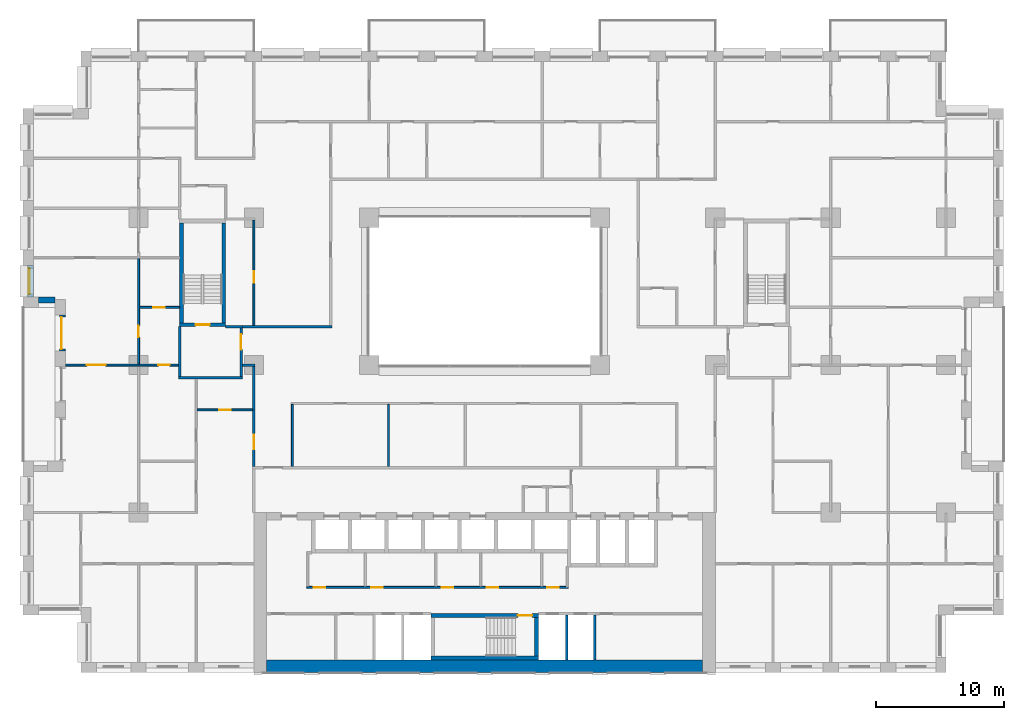
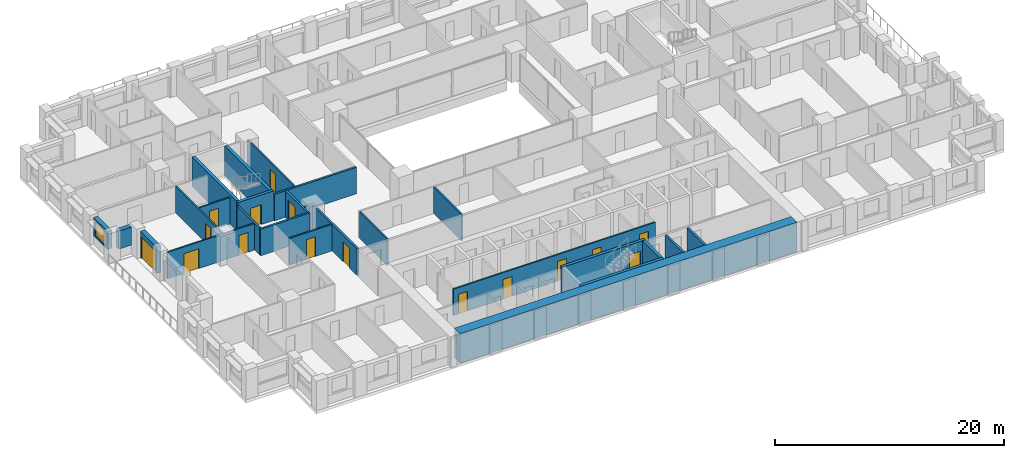
# One storey, part 10 of 19: 27 walls, 16 doors, 1 window, 17 openings.
"""IFC4 building model written with IfcOpenShell, lengths in metres."""

from ifc_helpers import new_model, si_unit, direction, frame, frame_2d, origin, place, context, subcontext, project, spatial, rectangle, extrude, material, layer, layer_set, type_object, element, fill, save


model = new_model("IFC4")

# Units and contexts
model_context = context("Model", 3, precision=1e-05, world=origin(), true_north=direction((0.0, 1.0)))
body_context = subcontext(model_context, "Body", "Model", "MODEL_VIEW")
ifc_project = project(units=[si_unit("LENGTHUNIT", "METRE"), si_unit("AREAUNIT", "SQUARE_METRE"), si_unit("VOLUMEUNIT", "CUBIC_METRE"), si_unit("PLANEANGLEUNIT", "RADIAN"), si_unit("MASSUNIT", "GRAM", prefix="KILO")], contexts=[model_context])

# Site, building, storey
site_placement = place(None, origin())
site = spatial("IfcSite", under=ifc_project, at=site_placement, CompositionType="ELEMENT")
building_placement = place(site_placement, origin())
building = spatial("IfcBuilding", under=site, at=building_placement, Name="Brigalow Station Residences", CompositionType="ELEMENT")
storey_placement = place(building_placement, frame((0.0, 0.0, 32.10009765625)))
storey = spatial("IfcBuildingStorey", under=building, at=storey_placement, Name="L08", CompositionType="ELEMENT", Elevation=32.10009765625)

# Wall, opening, window
ifc_material_1 = material(Name="Clay brick masonry", Category="masonry")
ifc_layer_1 = layer(ifc_material_1, 0.449951171875)
ifc_layer_set_1 = layer_set([ifc_layer_1], Name="BRICK INFILL WALL 450")
wall_type_1 = type_object("IfcWallType", Name="BRICK INFILL WALL 450", PredefinedType="SOLIDWALL", material=ifc_layer_set_1)
wall_1_placement = place(storey_placement, frame((0.574951171875, 31.77490234375, 0.89990234375), z_axis=(0.0, 0.0, 1.0), x_axis=(0.0, -1.0, 0.0)))
wall_1 = element("IfcWall", 1, at=wall_1_placement, inside=storey, type_object=wall_type_1, Name="L08/ewall/W-L08-45", PredefinedType="SOLIDWALL", context=body_context, shape_type="SweptSolid", body=[
    extrude(rectangle(XDim=2.474853515625, YDim=0.449951171875, at=frame_2d((1.2373046875, 0.0))), origin(), (0.0, 0.0, 1.0), 1.929931640625),
])
opening_1_placement = place(wall_1_placement, frame((0.237548828125, 0.0, 0.14990234375)))
opening_1 = element("IfcOpeningElement", 2, at=opening_1_placement, cuts=wall_1, Name="Opening WT-7", PredefinedType="OPENING", context=body_context, shape_type="SweptSolid", body=[
    extrude(rectangle(XDim=2.0, YDim=1.5, at=frame_2d((1.0, 0.75))), frame((0.0, 0.23486328125, 0.0), z_axis=(0.0, -1.0, 0.0), x_axis=(1.0, 0.0, 0.0)), (0.0, 0.0, 1.0), 0.469970703125),
])
ifc_material_2 = material(Name="Anodised aluminium frame with double glazing", Category="aluminium")
window_type = type_object("IfcWindowType", Name="WINDOW 2000x1500", PartitioningType="SINGLE_PANEL", PredefinedType="WINDOW", material=ifc_material_2)
window_placement = place(opening_1_placement, origin())
window = element("IfcWindow", 3, at=window_placement, inside=storey, type_object=window_type, Name="L08/window/W-L08-45", OverallHeight=1.5, OverallWidth=2.0, PartitioningType="SINGLE_PANEL", PredefinedType="WINDOW", context=body_context, shape_type="SweptSolid", body=[
    extrude(rectangle(XDim=2.0, YDim=1.5, at=frame_2d((1.0, 0.75))), frame((0.0, -0.06494140625, 0.0), z_axis=(0.0, -1.0, 0.0), x_axis=(1.0, 0.0, 0.0)), (0.0, 0.0, 1.0), 0.06005859375),
])
fill(opening_1, window)

# Wall
wall_2_placement = place(storey_placement, frame((1.199951171875, 29.074951171875, 0.89990234375), z_axis=(0.0, 0.0, 1.0), x_axis=(1.0, 0.0, 0.0)))
element("IfcWall", 4, at=wall_2_placement, inside=storey, type_object=wall_type_1, Name="L08/ewall/W-L08-46", PredefinedType="SOLIDWALL", context=body_context, shape_type="SweptSolid", body=[
    extrude(rectangle(XDim=1.300048828125, YDim=0.449951171875, at=frame_2d((0.64990234375, 0.0))), origin(), (0.0, 0.0, 1.0), 1.929931640625),
])

# Wall, opening, door
wall_3_placement = place(storey_placement, frame((3.074951171875, 27.89990234375, 0.0), z_axis=(0.0, 0.0, 1.0), x_axis=(0.0, -1.0, 0.0)))
wall_3 = element("IfcWall", 5, at=wall_3_placement, inside=storey, type_object=wall_type_1, Name="L08/ewall/W-L08-47", PredefinedType="SOLIDWALL", context=body_context, shape_type="SweptSolid", body=[
    extrude(rectangle(XDim=2.7998046875, YDim=0.449951171875, at=frame_2d((1.39990234375, 0.0))), origin(), (0.0, 0.0, 1.0), 2.829833984375),
])
opening_2_placement = place(wall_3_placement, frame((0.14990234375, 0.0, 0.0)))
opening_2 = element("IfcOpeningElement", 6, at=opening_2_placement, cuts=wall_3, Name="Opening D-B2500", PredefinedType="OPENING", context=body_context, shape_type="SweptSolid", body=[
    extrude(rectangle(XDim=2.5, YDim=2.300048828125, at=frame_2d((1.25, 1.14990234375))), frame((0.0, 0.23486328125, 0.0), z_axis=(0.0, -1.0, 0.0), x_axis=(1.0, 0.0, 0.0)), (0.0, 0.0, 1.0), 0.469970703125),
])
ifc_material_3 = material(Name="Anodised aluminium frame with double glazing", Category="aluminium")
door_type_1 = type_object("IfcDoorType", Name="BALCONY SLIDING DOOR 2500x2300", OperationType="SLIDING_TO_LEFT", PredefinedType="DOOR", material=ifc_material_3)
door_1_placement = place(opening_2_placement, origin())
door_1 = element("IfcDoor", 7, at=door_1_placement, inside=storey, type_object=door_type_1, Name="L08/balcony-door/W-L08-47", OperationType="SLIDING_TO_LEFT", OverallHeight=2.300048828125, OverallWidth=2.5, PredefinedType="DOOR", context=body_context, shape_type="SweptSolid", body=[
    extrude(rectangle(XDim=2.5, YDim=2.300048828125, at=frame_2d((1.25, 1.14990234375))), frame((0.0, -0.06982421875, 0.0), z_axis=(0.0, -1.0, 0.0), x_axis=(1.0, 0.0, 0.0)), (0.0, 0.0, 1.0), 0.050048828125),
])
fill(opening_2, door_1)

# Walls
ifc_material_4 = material(Name="Concrete C80", Category="concrete")
ifc_layer_2 = layer(ifc_material_4, 1.0)
ifc_layer_set_2 = layer_set([ifc_layer_2], Name="CORE SHEAR WALL 1000 C80")
wall_type_2 = type_object("IfcWallType", Name="CORE SHEAR WALL 1000 C80", PredefinedType="SHEAR", material=ifc_layer_set_2)
wall_4_placement = place(storey_placement, frame((19.0, 0.5, 0.0), z_axis=(0.0, 0.0, 1.0), x_axis=(1.0, 0.0, 0.0)))
element("IfcWall", 8, at=wall_4_placement, inside=storey, type_object=wall_type_2, Name="CORE WALL OUT-S L08", PredefinedType="SHEAR", context=body_context, shape_type="SweptSolid", body=[
    extrude(rectangle(XDim=34.0, YDim=1.0, at=frame_2d((17.0, 0.0))), origin(), (0.0, 0.0, 1.0), 3.14990234375),
])
ifc_material_5 = material(Name="Concrete C80", Category="concrete")
ifc_layer_3 = layer(ifc_material_5, 0.300048828125)
ifc_layer_set_3 = layer_set([ifc_layer_3], Name="CORE SHEAR WALL 300 C80")
wall_type_3 = type_object("IfcWallType", Name="CORE SHEAR WALL 300 C80", PredefinedType="SHEAR", material=ifc_layer_set_3)
wall_5_placement = place(storey_placement, frame((31.800048828125, 1.14990234375, 0.0), z_axis=(0.0, 0.0, 1.0), x_axis=(1.0, 0.0, 0.0)))
element("IfcWall", 9, at=wall_5_placement, inside=storey, type_object=wall_type_3, Name="CORE WALL ST-S2-S L08", PredefinedType="SHEAR", context=body_context, shape_type="SweptSolid", body=[
    extrude(rectangle(XDim=8.39990234375, YDim=0.300048828125, at=frame_2d((4.199951171875, 0.0))), origin(), (0.0, 0.0, 1.0), 3.14990234375),
])

# Wall, opening, door
wall_6_placement = place(storey_placement, frame((31.800048828125, 4.449951171875, 0.0), z_axis=(0.0, 0.0, 1.0), x_axis=(1.0, 0.0, 0.0)))
wall_6 = element("IfcWall", 10, at=wall_6_placement, inside=storey, type_object=wall_type_3, Name="CORE WALL ST-S2-N L08", PredefinedType="SHEAR", context=body_context, shape_type="SweptSolid", body=[
    extrude(rectangle(XDim=8.39990234375, YDim=0.300048828125, at=frame_2d((4.199951171875, 0.0))), origin(), (0.0, 0.0, 1.0), 3.14990234375),
])
opening_3_placement = place(wall_6_placement, frame((6.800048828125, 0.0, 0.0)))
opening_3 = element("IfcOpeningElement", 11, at=opening_3_placement, cuts=wall_6, Name="Opening D-5001", PredefinedType="OPENING", context=body_context, shape_type="SweptSolid", body=[
    extrude(rectangle(XDim=1.10009765625, YDim=2.10009765625, at=frame_2d((0.550048828125, 1.050048828125))), frame((0.0, 0.16015625, 0.0), z_axis=(0.0, -1.0, 0.0), x_axis=(1.0, 0.0, 0.0)), (0.0, 0.0, 1.0), 0.320068359375),
])
ifc_material_6 = material(Name="Steel fire door leaf in steel frame", Category="steel")
door_type_2 = type_object("IfcDoorType", Name="STAIR DOOR 1100 x 2100 FD60S", OperationType="SINGLE_SWING_LEFT", PredefinedType="DOOR", material=ifc_material_6)
door_2_placement = place(opening_3_placement, frame((1.10009765625, 0.0, 0.0), z_axis=(0.0, 0.0, 1.0), x_axis=(-1.0, 0.0, 0.0)))
door_2 = element("IfcDoor", 12, at=door_2_placement, inside=storey, type_object=door_type_2, Name="D-5001", OperationType="SINGLE_SWING_LEFT", OverallHeight=2.10009765625, OverallWidth=1.10009765625, PredefinedType="DOOR", context=body_context, shape_type="SweptSolid", body=[
    extrude(rectangle(XDim=1.10009765625, YDim=2.10009765625, at=frame_2d((0.550048828125, 1.050048828125))), frame((0.0, 0.02490234375, 0.0), z_axis=(0.0, -1.0, 0.0), x_axis=(1.0, 0.0, 0.0)), (0.0, 0.0, 1.0), 0.050048828125),
])
fill(opening_3, door_2)

# Wall
wall_7_placement = place(storey_placement, frame((40.050048828125, 1.300048828125, 0.0), z_axis=(0.0, 0.0, 1.0), x_axis=(0.0, 1.0, 0.0)))
element("IfcWall", 13, at=wall_7_placement, inside=storey, type_object=wall_type_3, Name="CORE WALL ST-S2-E L08", PredefinedType="SHEAR", context=body_context, shape_type="SweptSolid", body=[
    extrude(rectangle(XDim=3.0, YDim=0.300048828125, at=frame_2d((1.5, 0.0))), origin(), (0.0, 0.0, 1.0), 3.14990234375),
])

# Wall, opening, door
wall_8_placement = place(storey_placement, frame((12.199951171875, 27.14990234375, 0.0), z_axis=(0.0, 0.0, 1.0), x_axis=(1.0, 0.0, 0.0)))
wall_8 = element("IfcWall", 14, at=wall_8_placement, inside=storey, type_object=wall_type_3, Name="CORE WALL ST-S1-S L08", PredefinedType="SHEAR", context=body_context, shape_type="SweptSolid", body=[
    extrude(rectangle(XDim=3.60009765625, YDim=0.300048828125, at=frame_2d((1.800048828125, 0.0))), origin(), (0.0, 0.0, 1.0), 3.14990234375),
])
opening_4_placement = place(wall_8_placement, frame((1.25, 0.0, 0.0)))
opening_4 = element("IfcOpeningElement", 15, at=opening_4_placement, cuts=wall_8, Name="Opening D-5015", PredefinedType="OPENING", context=body_context, shape_type="SweptSolid", body=[
    extrude(rectangle(XDim=1.10009765625, YDim=2.10009765625, at=frame_2d((0.550048828125, 1.050048828125))), frame((0.0, 0.16015625, 0.0), z_axis=(0.0, -1.0, 0.0), x_axis=(1.0, 0.0, 0.0)), (0.0, 0.0, 1.0), 0.320068359375),
])
door_3_placement = place(opening_4_placement, origin())
door_3 = element("IfcDoor", 16, at=door_3_placement, inside=storey, type_object=door_type_2, Name="D-5015", OperationType="SINGLE_SWING_LEFT", OverallHeight=2.10009765625, OverallWidth=1.10009765625, PredefinedType="DOOR", context=body_context, shape_type="SweptSolid", body=[
    extrude(rectangle(XDim=1.10009765625, YDim=2.10009765625, at=frame_2d((0.550048828125, 1.050048828125))), frame((0.0, 0.02490234375, 0.0), z_axis=(0.0, -1.0, 0.0), x_axis=(1.0, 0.0, 0.0)), (0.0, 0.0, 1.0), 0.050048828125),
])
fill(opening_4, door_3)

# Walls
for number, where, z_axis, x_axis, name in (
    (17, (12.35009765625, 27.300048828125, 0.0), (0.0, 0.0, 1.0), (0.0, 1.0, 0.0), "CORE WALL ST-S1-W L08"),
    (18, (15.64990234375, 27.300048828125, 0.0), (0.0, 0.0, 1.0), (0.0, 1.0, 0.0), "CORE WALL ST-S1-E L08"),
):
    element("IfcWall", number, at=place(storey_placement, frame(where, z_axis=z_axis, x_axis=x_axis)), inside=storey, type_object=wall_type_3, Name=name, PredefinedType="SHEAR", context=body_context, shape_type="SweptSolid", body=[
        extrude(rectangle(XDim=7.800048828125, YDim=0.300048828125, at=frame_2d((3.89990234375, 0.0))), origin(), (0.0, 0.0, 1.0), 3.14990234375),
    ])
ifc_material_7 = material(Name="Concrete blockwork", Category="masonry")
ifc_layer_4 = layer(ifc_material_7, 0.199951171875)
ifc_layer_set_4 = layer_set([ifc_layer_4], Name="FIRE RATED CORE PARTITION 200")
wall_type_4 = type_object("IfcWallType", Name="FIRE RATED CORE PARTITION 200", PredefinedType="PARTITIONING", material=ifc_layer_set_4)
wall_9_placement = place(storey_placement, frame((12.10009765625, 23.0, 0.0), z_axis=(0.0, 0.0, 1.0), x_axis=(1.0, 0.0, 0.0)))
element("IfcWall", 19, at=wall_9_placement, inside=storey, type_object=wall_type_4, Name="PW-5023", PredefinedType="PARTITIONING", context=body_context, shape_type="SweptSolid", body=[
    extrude(rectangle(XDim=5.0, YDim=0.199951171875, at=frame_2d((2.5, 0.0))), origin(), (0.0, 0.0, 1.0), 2.829833984375),
])
wall_10_placement = place(storey_placement, frame((15.800048828125, 27.0, 0.0), z_axis=(0.0, 0.0, 1.0), x_axis=(1.0, 0.0, 0.0)))
element("IfcWall", 20, at=wall_10_placement, inside=storey, type_object=wall_type_4, Name="PW-5025", PredefinedType="PARTITIONING", context=body_context, shape_type="SweptSolid", body=[
    extrude(rectangle(XDim=1.300048828125, YDim=0.199951171875, at=frame_2d((0.64990234375, 0.0))), origin(), (0.0, 0.0, 1.0), 2.829833984375),
])
for number, where, z_axis, x_axis, name in (
    (21, (42.39990234375, 1.0, 0.0), (0.0, 0.0, 1.0), (0.0, 1.0, 0.0), "PW-5007"),
    (22, (44.60009765625, 1.0, 0.0), (0.0, 0.0, 1.0), (0.0, 1.0, 0.0), "PW-5008"),
):
    element("IfcWall", number, at=place(storey_placement, frame(where, z_axis=z_axis, x_axis=x_axis)), inside=storey, type_object=wall_type_4, Name=name, PredefinedType="PARTITIONING", context=body_context, shape_type="SweptSolid", body=[
        extrude(rectangle(XDim=3.5, YDim=0.199951171875, at=frame_2d((1.75, 0.0))), origin(), (0.0, 0.0, 1.0), 2.829833984375),
    ])
wall_11_placement = place(storey_placement, frame((12.199951171875, 23.10009765625, 0.0), z_axis=(0.0, 0.0, 1.0), x_axis=(0.0, 1.0, 0.0)))
element("IfcWall", 23, at=wall_11_placement, inside=storey, type_object=wall_type_4, Name="PW-5034", PredefinedType="PARTITIONING", context=body_context, shape_type="SweptSolid", body=[
    extrude(rectangle(XDim=3.89990234375, YDim=0.199951171875, at=frame_2d((1.949951171875, 0.0))), origin(), (0.0, 0.0, 1.0), 2.829833984375),
])

# Wall, opening, door
wall_12_placement = place(storey_placement, frame((17.0, 23.10009765625, 0.0), z_axis=(0.0, 0.0, 1.0), x_axis=(0.0, 1.0, 0.0)))
wall_12 = element("IfcWall", 24, at=wall_12_placement, inside=storey, type_object=wall_type_4, Name="PW-5035", PredefinedType="PARTITIONING", context=body_context, shape_type="SweptSolid", body=[
    extrude(rectangle(XDim=3.7998046875, YDim=0.199951171875, at=frame_2d((1.89990234375, 0.0))), origin(), (0.0, 0.0, 1.0), 2.829833984375),
])
opening_5_placement = place(wall_12_placement, frame((2.10009765625, 0.0, 0.0)))
opening_5 = element("IfcOpeningElement", 25, at=opening_5_placement, cuts=wall_12, Name="Opening D-5016", PredefinedType="OPENING", context=body_context, shape_type="SweptSolid", body=[
    extrude(rectangle(XDim=1.199951171875, YDim=2.10009765625, at=frame_2d((0.60009765625, 1.050048828125))), frame((0.0, 0.10986328125, 0.0), z_axis=(0.0, -1.0, 0.0), x_axis=(1.0, 0.0, 0.0)), (0.0, 0.0, 1.0), 0.219970703125),
])
ifc_material_8 = material(Name="Steel fire door leaf in steel frame", Category="steel")
door_type_3 = type_object("IfcDoorType", Name="STAIR LOBBY DOOR 1200 x 2100 FD60S", OperationType="SINGLE_SWING_LEFT", PredefinedType="DOOR", material=ifc_material_8)
door_4_placement = place(opening_5_placement, origin())
door_4 = element("IfcDoor", 26, at=door_4_placement, inside=storey, type_object=door_type_3, Name="D-5016", OperationType="SINGLE_SWING_RIGHT", OverallHeight=2.10009765625, OverallWidth=1.199951171875, PredefinedType="DOOR", context=body_context, shape_type="SweptSolid", body=[
    extrude(rectangle(XDim=1.199951171875, YDim=2.10009765625, at=frame_2d((0.60009765625, 1.050048828125))), frame((0.0, 0.02490234375, 0.0), z_axis=(0.0, -1.0, 0.0), x_axis=(1.0, 0.0, 0.0)), (0.0, 0.0, 1.0), 0.050048828125),
])
fill(opening_5, door_4)

# Wall, openings, doors
ifc_material_9 = material(Name="Plasterboard on steel stud partition", Category="steel")
ifc_layer_5 = layer(ifc_material_9, 0.14990234375)
ifc_layer_set_5 = layer_set([ifc_layer_5], Name="FLAT PARTITION 150")
wall_type_5 = type_object("IfcWallType", Name="FLAT PARTITION 150", PredefinedType="PARTITIONING", material=ifc_layer_set_5)
wall_13_placement = place(storey_placement, frame((3.300048828125, 24.0, 0.0), z_axis=(0.0, 0.0, 1.0), x_axis=(1.0, 0.0, 0.0)))
wall_13 = element("IfcWall", 27, at=wall_13_placement, inside=storey, type_object=wall_type_5, Name="PW-1B02", PredefinedType="PARTITIONING", context=body_context, shape_type="SweptSolid", body=[
    extrude(rectangle(XDim=8.800048828125, YDim=0.14990234375, at=frame_2d((4.39990234375, 0.0))), origin(), (0.0, 0.0, 1.0), 2.829833984375),
])
opening_6_placement = place(wall_13_placement, frame((1.64990234375, 0.0, 0.0)))
opening_6 = element("IfcOpeningElement", 28, at=opening_6_placement, cuts=wall_13, Name="Opening D-1B07", PredefinedType="OPENING", context=body_context, shape_type="SweptSolid", body=[
    extrude(rectangle(XDim=1.5, YDim=2.10009765625, at=frame_2d((0.75, 1.050048828125))), frame((0.0, 0.0849609375, 0.0), z_axis=(0.0, -1.0, 0.0), x_axis=(1.0, 0.0, 0.0)), (0.0, 0.0, 1.0), 0.169921875),
])
opening_7_placement = place(wall_13_placement, frame((7.22509765625, 0.0, 0.0)))
opening_7 = element("IfcOpeningElement", 29, at=opening_7_placement, cuts=wall_13, Name="Opening D-1B14", PredefinedType="OPENING", context=body_context, shape_type="SweptSolid", body=[
    extrude(rectangle(XDim=0.89990234375, YDim=2.10009765625, at=frame_2d((0.449951171875, 1.050048828125))), frame((0.0, 0.0849609375, 0.0), z_axis=(0.0, -1.0, 0.0), x_axis=(1.0, 0.0, 0.0)), (0.0, 0.0, 1.0), 0.169921875),
])
ifc_material_10 = material(Name="Solid-core timber door leaf", Category="wood")
door_type_4 = type_object("IfcDoorType", Name="INTERNAL DOOR 900 x 2100", OperationType="SINGLE_SWING_LEFT", PredefinedType="DOOR", material=ifc_material_10)
door_5_placement = place(opening_7_placement, origin())
door_5 = element("IfcDoor", 30, at=door_5_placement, inside=storey, type_object=door_type_4, Name="D-1B14", OperationType="SINGLE_SWING_RIGHT", OverallHeight=2.10009765625, OverallWidth=0.89990234375, PredefinedType="DOOR", context=body_context, shape_type="SweptSolid", body=[
    extrude(rectangle(XDim=0.89990234375, YDim=2.10009765625, at=frame_2d((0.449951171875, 1.050048828125))), frame((0.0, 0.02490234375, 0.0), z_axis=(0.0, -1.0, 0.0), x_axis=(1.0, 0.0, 0.0)), (0.0, 0.0, 1.0), 0.050048828125),
])
fill(opening_7, door_5)
ifc_material_11 = material(Name="Solid-core timber door leaf", Category="wood")
door_type_5 = type_object("IfcDoorType", Name="INTERNAL DOUBLE DOOR 1500 x 2100", OperationType="DOUBLE_DOOR_SINGLE_SWING", PredefinedType="DOOR", material=ifc_material_11)
door_6_placement = place(opening_6_placement, origin())
door_6 = element("IfcDoor", 31, at=door_6_placement, inside=storey, type_object=door_type_5, Name="D-1B07", OperationType="DOUBLE_DOOR_SINGLE_SWING", OverallHeight=2.10009765625, OverallWidth=1.5, PredefinedType="DOOR", context=body_context, shape_type="SweptSolid", body=[
    extrude(rectangle(XDim=1.5, YDim=2.10009765625, at=frame_2d((0.75, 1.050048828125))), frame((0.0, 0.02490234375, 0.0), z_axis=(0.0, -1.0, 0.0), x_axis=(1.0, 0.0, 0.0)), (0.0, 0.0, 1.0), 0.050048828125),
])
fill(opening_6, door_6)

# Wall, opening, door
wall_14_placement = place(storey_placement, frame((13.574951171875, 20.5, 0.0), z_axis=(0.0, 0.0, 1.0), x_axis=(1.0, 0.0, 0.0)))
wall_14 = element("IfcWall", 32, at=wall_14_placement, inside=storey, type_object=wall_type_5, Name="PW-1B14", PredefinedType="PARTITIONING", context=body_context, shape_type="SweptSolid", body=[
    extrude(rectangle(XDim=4.324951171875, YDim=0.14990234375, at=frame_2d((2.16259765625, 0.0))), origin(), (0.0, 0.0, 1.0), 2.829833984375),
])
opening_8_placement = place(wall_14_placement, frame((1.72509765625, 0.0, 0.0)))
opening_8 = element("IfcOpeningElement", 33, at=opening_8_placement, cuts=wall_14, Name="Opening D-1B13", PredefinedType="OPENING", context=body_context, shape_type="SweptSolid", body=[
    extrude(rectangle(XDim=0.89990234375, YDim=2.10009765625, at=frame_2d((0.449951171875, 1.050048828125))), frame((0.0, 0.0849609375, 0.0), z_axis=(0.0, -1.0, 0.0), x_axis=(1.0, 0.0, 0.0)), (0.0, 0.0, 1.0), 0.169921875),
])
door_7_placement = place(opening_8_placement, origin())
door_7 = element("IfcDoor", 34, at=door_7_placement, inside=storey, type_object=door_type_4, Name="D-1B13", OperationType="SINGLE_SWING_RIGHT", OverallHeight=2.10009765625, OverallWidth=0.89990234375, PredefinedType="DOOR", context=body_context, shape_type="SweptSolid", body=[
    extrude(rectangle(XDim=0.89990234375, YDim=2.10009765625, at=frame_2d((0.449951171875, 1.050048828125))), frame((0.0, 0.02490234375, 0.0), z_axis=(0.0, -1.0, 0.0), x_axis=(1.0, 0.0, 0.0)), (0.0, 0.0, 1.0), 0.050048828125),
])
fill(opening_8, door_7)

wall_15_placement = place(storey_placement, frame((9.074951171875, 28.5, 0.0), z_axis=(0.0, 0.0, 1.0), x_axis=(1.0, 0.0, 0.0)))
wall_15 = element("IfcWall", 35, at=wall_15_placement, inside=storey, type_object=wall_type_5, Name="PW-1B19", PredefinedType="PARTITIONING", context=body_context, shape_type="SweptSolid", body=[
    extrude(rectangle(XDim=3.125, YDim=0.14990234375, at=frame_2d((1.5625, 0.0))), origin(), (0.0, 0.0, 1.0), 2.829833984375),
])
opening_9_placement = place(wall_15_placement, frame((1.074951171875, 0.0, 0.0)))
opening_9 = element("IfcOpeningElement", 36, at=opening_9_placement, cuts=wall_15, Name="Opening D-1B15", PredefinedType="OPENING", context=body_context, shape_type="SweptSolid", body=[
    extrude(rectangle(XDim=0.89990234375, YDim=2.10009765625, at=frame_2d((0.449951171875, 1.050048828125))), frame((0.0, 0.0849609375, 0.0), z_axis=(0.0, -1.0, 0.0), x_axis=(1.0, 0.0, 0.0)), (0.0, 0.0, 1.0), 0.169921875),
])
door_8_placement = place(opening_9_placement, origin())
door_8 = element("IfcDoor", 37, at=door_8_placement, inside=storey, type_object=door_type_4, Name="D-1B15", OperationType="SINGLE_SWING_LEFT", OverallHeight=2.10009765625, OverallWidth=0.89990234375, PredefinedType="DOOR", context=body_context, shape_type="SweptSolid", body=[
    extrude(rectangle(XDim=0.89990234375, YDim=2.10009765625, at=frame_2d((0.449951171875, 1.050048828125))), frame((0.0, 0.02490234375, 0.0), z_axis=(0.0, -1.0, 0.0), x_axis=(1.0, 0.0, 0.0)), (0.0, 0.0, 1.0), 0.050048828125),
])
fill(opening_9, door_8)

wall_16_placement = place(storey_placement, frame((18.0, 27.10009765625, 0.0), z_axis=(0.0, 0.0, 1.0), x_axis=(0.0, 1.0, 0.0)))
wall_16 = element("IfcWall", 38, at=wall_16_placement, inside=storey, type_object=wall_type_5, Name="PW-1B37", PredefinedType="PARTITIONING", context=body_context, shape_type="SweptSolid", body=[
    extrude(rectangle(XDim=8.224853515625, YDim=0.14990234375, at=frame_2d((4.1123046875, 0.0))), origin(), (0.0, 0.0, 1.0), 2.829833984375),
])
opening_10_placement = place(wall_16_placement, frame((3.324951171875, 0.0, 0.0)))
opening_10 = element("IfcOpeningElement", 39, at=opening_10_placement, cuts=wall_16, Name="Opening D-1B29", PredefinedType="OPENING", context=body_context, shape_type="SweptSolid", body=[
    extrude(rectangle(XDim=0.89990234375, YDim=2.10009765625, at=frame_2d((0.449951171875, 1.050048828125))), frame((0.0, 0.0849609375, 0.0), z_axis=(0.0, -1.0, 0.0), x_axis=(1.0, 0.0, 0.0)), (0.0, 0.0, 1.0), 0.169921875),
])
door_9_placement = place(opening_10_placement, origin())
door_9 = element("IfcDoor", 40, at=door_9_placement, inside=storey, type_object=door_type_4, Name="D-1B29", OperationType="SINGLE_SWING_LEFT", OverallHeight=2.10009765625, OverallWidth=0.89990234375, PredefinedType="DOOR", context=body_context, shape_type="SweptSolid", body=[
    extrude(rectangle(XDim=0.89990234375, YDim=2.10009765625, at=frame_2d((0.449951171875, 1.050048828125))), frame((0.0, 0.02490234375, 0.0), z_axis=(0.0, -1.0, 0.0), x_axis=(1.0, 0.0, 0.0)), (0.0, 0.0, 1.0), 0.050048828125),
])
fill(opening_10, door_9)

# Wall
wall_17_placement = place(storey_placement, frame((21.0, 16.10009765625, 0.0), z_axis=(0.0, 0.0, 1.0), x_axis=(0.0, 1.0, 0.0)))
element("IfcWall", 41, at=wall_17_placement, inside=storey, type_object=wall_type_5, Name="PW-1B43", PredefinedType="PARTITIONING", context=body_context, shape_type="SweptSolid", body=[
    extrude(rectangle(XDim=4.824951171875, YDim=0.14990234375, at=frame_2d((2.41259765625, 0.0))), origin(), (0.0, 0.0, 1.0), 2.829833984375),
])

# Wall, opening, door
wall_18_placement = place(storey_placement, frame((9.0, 24.074951171875, 0.0), z_axis=(0.0, 0.0, 1.0), x_axis=(0.0, 1.0, 0.0)))
wall_18 = element("IfcWall", 42, at=wall_18_placement, inside=storey, type_object=wall_type_5, Name="PW-1B52", PredefinedType="PARTITIONING", context=body_context, shape_type="SweptSolid", body=[
    extrude(rectangle(XDim=8.22509765625, YDim=0.14990234375, at=frame_2d((4.112548828125, 0.0))), origin(), (0.0, 0.0, 1.0), 2.829833984375),
])
opening_11_placement = place(wall_18_placement, frame((2.10009765625, 0.0, 0.0)))
opening_11 = element("IfcOpeningElement", 43, at=opening_11_placement, cuts=wall_18, Name="Opening D-1B08", PredefinedType="OPENING", context=body_context, shape_type="SweptSolid", body=[
    extrude(rectangle(XDim=0.89990234375, YDim=2.10009765625, at=frame_2d((0.449951171875, 1.050048828125))), frame((0.0, 0.0849609375, 0.0), z_axis=(0.0, -1.0, 0.0), x_axis=(1.0, 0.0, 0.0)), (0.0, 0.0, 1.0), 0.169921875),
])
door_10_placement = place(opening_11_placement, frame((0.89990234375, 0.0, 0.0), z_axis=(0.0, 0.0, 1.0), x_axis=(-1.0, 0.0, 0.0)))
door_10 = element("IfcDoor", 44, at=door_10_placement, inside=storey, type_object=door_type_4, Name="D-1B08", OperationType="SINGLE_SWING_LEFT", OverallHeight=2.10009765625, OverallWidth=0.89990234375, PredefinedType="DOOR", context=body_context, shape_type="SweptSolid", body=[
    extrude(rectangle(XDim=0.89990234375, YDim=2.10009765625, at=frame_2d((0.449951171875, 1.050048828125))), frame((0.0, 0.02490234375, 0.0), z_axis=(0.0, -1.0, 0.0), x_axis=(1.0, 0.0, 0.0)), (0.0, 0.0, 1.0), 0.050048828125),
])
fill(opening_11, door_10)

# Walls
wall_19_placement = place(storey_placement, frame((28.5, 16.10009765625, 0.0), z_axis=(0.0, 0.0, 1.0), x_axis=(0.0, 1.0, 0.0)))
element("IfcWall", 45, at=wall_19_placement, inside=storey, type_object=wall_type_5, Name="PW-1B63", PredefinedType="PARTITIONING", context=body_context, shape_type="SweptSolid", body=[
    extrude(rectangle(XDim=4.824951171875, YDim=0.14990234375, at=frame_2d((2.41259765625, 0.0))), origin(), (0.0, 0.0, 1.0), 2.829833984375),
])
ifc_material_12 = material(Name="Plasterboard on steel stud partition", Category="steel")
ifc_layer_6 = layer(ifc_material_12, 0.199951171875)
ifc_layer_set_6 = layer_set([ifc_layer_6], Name="PARTY AND CORRIDOR WALL 200")
wall_type_6 = type_object("IfcWallType", Name="PARTY AND CORRIDOR WALL 200", PredefinedType="PARTITIONING", material=ifc_layer_set_6)
wall_20_placement = place(storey_placement, frame((17.10009765625, 24.0, 0.0), z_axis=(0.0, 0.0, 1.0), x_axis=(1.0, 0.0, 0.0)))
element("IfcWall", 46, at=wall_20_placement, inside=storey, type_object=wall_type_6, Name="PW-1B04", PredefinedType="PARTITIONING", context=body_context, shape_type="SweptSolid", body=[
    extrude(rectangle(XDim=1.0, YDim=0.199951171875, at=frame_2d((0.5, 0.0))), origin(), (0.0, 0.0, 1.0), 2.829833984375),
])
wall_21_placement = place(storey_placement, frame((17.10009765625, 27.0, 0.0), z_axis=(0.0, 0.0, 1.0), x_axis=(1.0, 0.0, 0.0)))
element("IfcWall", 47, at=wall_21_placement, inside=storey, type_object=wall_type_6, Name="PW-1B06", PredefinedType="PARTITIONING", context=body_context, shape_type="SweptSolid", body=[
    extrude(rectangle(XDim=7.0, YDim=0.199951171875, at=frame_2d((3.5, 0.0))), origin(), (0.0, 0.0, 1.0), 2.829833984375),
])

# Wall, opening, door
wall_22_placement = place(storey_placement, frame((18.0, 16.10009765625, 0.0), z_axis=(0.0, 0.0, 1.0), x_axis=(0.0, 1.0, 0.0)))
wall_22 = element("IfcWall", 48, at=wall_22_placement, inside=storey, type_object=wall_type_6, Name="PW-1B39", PredefinedType="PARTITIONING", context=body_context, shape_type="SweptSolid", body=[
    extrude(rectangle(XDim=7.7998046875, YDim=0.199951171875, at=frame_2d((3.89990234375, 0.0))), origin(), (0.0, 0.0, 1.0), 2.829833984375),
])
opening_12_placement = place(wall_22_placement, frame((1.35009765625, 0.0, 0.0)))
opening_12 = element("IfcOpeningElement", 49, at=opening_12_placement, cuts=wall_22, Name="Opening D-1B17", PredefinedType="OPENING", context=body_context, shape_type="SweptSolid", body=[
    extrude(rectangle(XDim=1.10009765625, YDim=2.10009765625, at=frame_2d((0.550048828125, 1.050048828125))), frame((0.0, 0.10986328125, 0.0), z_axis=(0.0, -1.0, 0.0), x_axis=(1.0, 0.0, 0.0)), (0.0, 0.0, 1.0), 0.219970703125),
])
ifc_material_13 = material(Name="Solid-core timber door leaf", Category="wood")
door_type_6 = type_object("IfcDoorType", Name="FLAT ENTRANCE DOOR 1100 x 2100 FRL -/60/30", OperationType="SINGLE_SWING_LEFT", PredefinedType="DOOR", material=ifc_material_13)
door_11_placement = place(opening_12_placement, origin())
door_11 = element("IfcDoor", 50, at=door_11_placement, inside=storey, type_object=door_type_6, Name="D-1B17", OperationType="SINGLE_SWING_RIGHT", OverallHeight=2.10009765625, OverallWidth=1.10009765625, PredefinedType="DOOR", context=body_context, shape_type="SweptSolid", body=[
    extrude(rectangle(XDim=1.10009765625, YDim=2.10009765625, at=frame_2d((0.550048828125, 1.050048828125))), frame((0.0, 0.02490234375, 0.0), z_axis=(0.0, -1.0, 0.0), x_axis=(1.0, 0.0, 0.0)), (0.0, 0.0, 1.0), 0.050048828125),
])
fill(opening_12, door_11)

# Wall, openings, doors
ifc_material_14 = material(Name="Plasterboard on steel studs", Category="steel")
ifc_layer_7 = layer(ifc_material_14, 0.14990234375)
ifc_layer_set_7 = layer_set([ifc_layer_7], Name="SERVICE ROOM PARTITION 150")
wall_type_7 = type_object("IfcWallType", Name="SERVICE ROOM PARTITION 150", PredefinedType="PARTITIONING", material=ifc_layer_set_7)
wall_23_placement = place(storey_placement, frame((22.125, 6.64990234375, 0.0), z_axis=(0.0, 0.0, 1.0), x_axis=(1.0, 0.0, 0.0)))
wall_23 = element("IfcWall", 51, at=wall_23_placement, inside=storey, type_object=wall_type_7, Name="PW-5021", PredefinedType="PARTITIONING", context=body_context, shape_type="SweptSolid", body=[
    extrude(rectangle(XDim=20.39990234375, YDim=0.14990234375, at=frame_2d((10.199951171875, 0.0))), origin(), (0.0, 0.0, 1.0), 2.829833984375),
])
opening_13_placement = place(wall_23_placement, frame((0.52490234375, 0.0, 0.0)))
opening_13 = element("IfcOpeningElement", 52, at=opening_13_placement, cuts=wall_23, Name="Opening D-5021", PredefinedType="OPENING", context=body_context, shape_type="SweptSolid", body=[
    extrude(rectangle(XDim=0.89990234375, YDim=2.10009765625, at=frame_2d((0.449951171875, 1.050048828125))), frame((0.0, 0.0849609375, 0.0), z_axis=(0.0, -1.0, 0.0), x_axis=(1.0, 0.0, 0.0)), (0.0, 0.0, 1.0), 0.169921875),
])
opening_14_placement = place(wall_23_placement, frame((5.02490234375, 0.0, 0.0)))
opening_14 = element("IfcOpeningElement", 53, at=opening_14_placement, cuts=wall_23, Name="Opening D-5031", PredefinedType="OPENING", context=body_context, shape_type="SweptSolid", body=[
    extrude(rectangle(XDim=0.89990234375, YDim=2.10009765625, at=frame_2d((0.449951171875, 1.050048828125))), frame((0.0, 0.0849609375, 0.0), z_axis=(0.0, -1.0, 0.0), x_axis=(1.0, 0.0, 0.0)), (0.0, 0.0, 1.0), 0.169921875),
])
opening_15_placement = place(wall_23_placement, frame((10.52490234375, 0.0, 0.0)))
opening_15 = element("IfcOpeningElement", 54, at=opening_15_placement, cuts=wall_23, Name="Opening D-5032", PredefinedType="OPENING", context=body_context, shape_type="SweptSolid", body=[
    extrude(rectangle(XDim=0.89990234375, YDim=2.10009765625, at=frame_2d((0.449951171875, 1.050048828125))), frame((0.0, 0.0849609375, 0.0), z_axis=(0.0, -1.0, 0.0), x_axis=(1.0, 0.0, 0.0)), (0.0, 0.0, 1.0), 0.169921875),
])
opening_16_placement = place(wall_23_placement, frame((14.02490234375, 0.0, 0.0)))
opening_16 = element("IfcOpeningElement", 55, at=opening_16_placement, cuts=wall_23, Name="Opening D-5033", PredefinedType="OPENING", context=body_context, shape_type="SweptSolid", body=[
    extrude(rectangle(XDim=0.89990234375, YDim=2.10009765625, at=frame_2d((0.449951171875, 1.050048828125))), frame((0.0, 0.0849609375, 0.0), z_axis=(0.0, -1.0, 0.0), x_axis=(1.0, 0.0, 0.0)), (0.0, 0.0, 1.0), 0.169921875),
])
opening_17_placement = place(wall_23_placement, frame((18.77490234375, 0.0, 0.0)))
opening_17 = element("IfcOpeningElement", 56, at=opening_17_placement, cuts=wall_23, Name="Opening D-5034", PredefinedType="OPENING", context=body_context, shape_type="SweptSolid", body=[
    extrude(rectangle(XDim=0.89990234375, YDim=2.10009765625, at=frame_2d((0.449951171875, 1.050048828125))), frame((0.0, 0.0849609375, 0.0), z_axis=(0.0, -1.0, 0.0), x_axis=(1.0, 0.0, 0.0)), (0.0, 0.0, 1.0), 0.169921875),
])
ifc_material_15 = material(Name="Steel door leaf in steel frame", Category="steel")
door_type_7 = type_object("IfcDoorType", Name="SERVICE ROOM DOOR 900 x 2100 FD60", OperationType="SINGLE_SWING_LEFT", PredefinedType="DOOR", material=ifc_material_15)
door_12_placement = place(opening_13_placement, origin())
door_12 = element("IfcDoor", 57, at=door_12_placement, inside=storey, type_object=door_type_7, Name="D-5021", OperationType="SINGLE_SWING_LEFT", OverallHeight=2.10009765625, OverallWidth=0.89990234375, PredefinedType="DOOR", context=body_context, shape_type="SweptSolid", body=[
    extrude(rectangle(XDim=0.89990234375, YDim=2.10009765625, at=frame_2d((0.449951171875, 1.050048828125))), frame((0.0, 0.02490234375, 0.0), z_axis=(0.0, -1.0, 0.0), x_axis=(1.0, 0.0, 0.0)), (0.0, 0.0, 1.0), 0.050048828125),
])
fill(opening_13, door_12)
door_13_placement = place(opening_14_placement, origin())
door_13 = element("IfcDoor", 58, at=door_13_placement, inside=storey, type_object=door_type_7, Name="D-5031", OperationType="SINGLE_SWING_LEFT", OverallHeight=2.10009765625, OverallWidth=0.89990234375, PredefinedType="DOOR", context=body_context, shape_type="SweptSolid", body=[
    extrude(rectangle(XDim=0.89990234375, YDim=2.10009765625, at=frame_2d((0.449951171875, 1.050048828125))), frame((0.0, 0.02490234375, 0.0), z_axis=(0.0, -1.0, 0.0), x_axis=(1.0, 0.0, 0.0)), (0.0, 0.0, 1.0), 0.050048828125),
])
fill(opening_14, door_13)
door_14_placement = place(opening_15_placement, origin())
door_14 = element("IfcDoor", 59, at=door_14_placement, inside=storey, type_object=door_type_7, Name="D-5032", OperationType="SINGLE_SWING_LEFT", OverallHeight=2.10009765625, OverallWidth=0.89990234375, PredefinedType="DOOR", context=body_context, shape_type="SweptSolid", body=[
    extrude(rectangle(XDim=0.89990234375, YDim=2.10009765625, at=frame_2d((0.449951171875, 1.050048828125))), frame((0.0, 0.02490234375, 0.0), z_axis=(0.0, -1.0, 0.0), x_axis=(1.0, 0.0, 0.0)), (0.0, 0.0, 1.0), 0.050048828125),
])
fill(opening_15, door_14)
door_15_placement = place(opening_16_placement, origin())
door_15 = element("IfcDoor", 60, at=door_15_placement, inside=storey, type_object=door_type_7, Name="D-5033", OperationType="SINGLE_SWING_LEFT", OverallHeight=2.10009765625, OverallWidth=0.89990234375, PredefinedType="DOOR", context=body_context, shape_type="SweptSolid", body=[
    extrude(rectangle(XDim=0.89990234375, YDim=2.10009765625, at=frame_2d((0.449951171875, 1.050048828125))), frame((0.0, 0.02490234375, 0.0), z_axis=(0.0, -1.0, 0.0), x_axis=(1.0, 0.0, 0.0)), (0.0, 0.0, 1.0), 0.050048828125),
])
fill(opening_16, door_15)
door_16_placement = place(opening_17_placement, origin())
door_16 = element("IfcDoor", 61, at=door_16_placement, inside=storey, type_object=door_type_7, Name="D-5034", OperationType="SINGLE_SWING_LEFT", OverallHeight=2.10009765625, OverallWidth=0.89990234375, PredefinedType="DOOR", context=body_context, shape_type="SweptSolid", body=[
    extrude(rectangle(XDim=0.89990234375, YDim=2.10009765625, at=frame_2d((0.449951171875, 1.050048828125))), frame((0.0, 0.02490234375, 0.0), z_axis=(0.0, -1.0, 0.0), x_axis=(1.0, 0.0, 0.0)), (0.0, 0.0, 1.0), 0.050048828125),
])
fill(opening_17, door_16)

save(model, "model.ifc")
